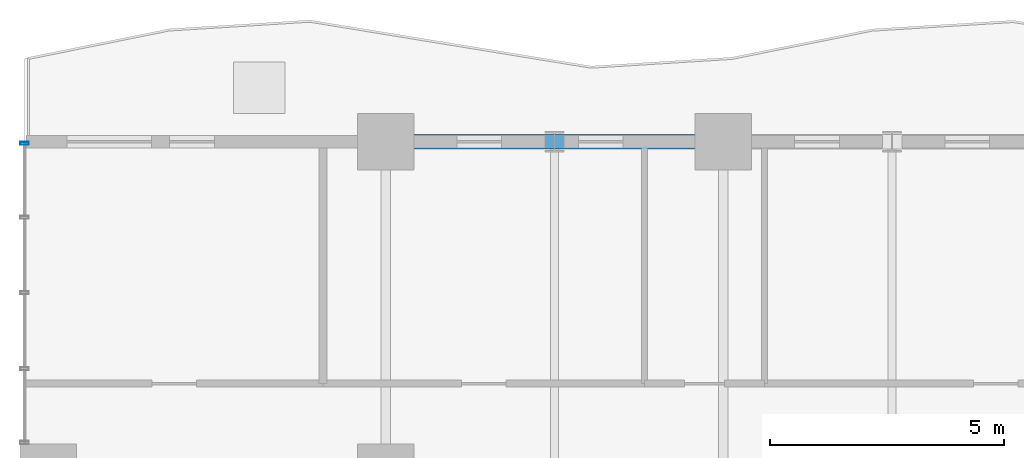
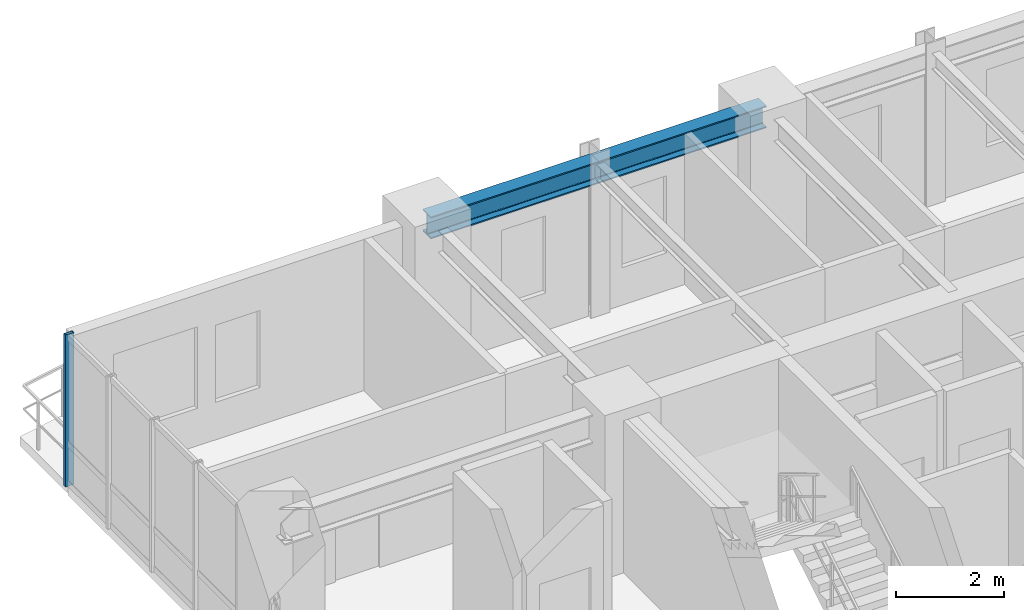
# One storey, part 8 of 18: 2 beams, 1 member, 1 element without a shape of its own.
"""IFC4 building model written with IfcOpenShell, lengths in metres."""

from ifc_helpers import new_model, si_unit, direction, frame, origin, origin_2d, place, context, subcontext, project, spatial, hollow_rectangle, i_section, extrude, source, transform, mapped, material, layer, layer_set, material_profile, profile_set, type_object, element, aggregate, save


model = new_model("IFC4")

# Units and contexts
model_context = context("Model", 3, precision=1e-05, world=origin(), true_north=direction((0.0, 1.0)))
body_context = subcontext(model_context, "Body", "Model", "MODEL_VIEW")
ifc_project = project(units=[si_unit("LENGTHUNIT", "METRE"), si_unit("AREAUNIT", "SQUARE_METRE"), si_unit("VOLUMEUNIT", "CUBIC_METRE"), si_unit("PLANEANGLEUNIT", "RADIAN"), si_unit("MASSUNIT", "GRAM", prefix="KILO")], contexts=[model_context])

# Site, building, storey
site_placement = place(None, origin())
site = spatial("IfcSite", under=ifc_project, at=site_placement, CompositionType="ELEMENT")
building_placement = place(site_placement, origin())
building = spatial("IfcBuilding", under=site, at=building_placement, Name="Kaliganga Portal Commons", CompositionType="ELEMENT")
storey_placement = place(building_placement, frame((0.0, 0.0, 93.39990234375)))
storey = spatial("IfcBuildingStorey", under=building, at=storey_placement, Name="L23", CompositionType="ELEMENT", Elevation=93.39990234375)

# Beams
ifc_material_1 = material(Name="Structural steel S355J2", Category="steel")
ifc_material_profile_1 = material_profile(ifc_material_1, i_section(OverallWidth=0.300048828125, OverallDepth=0.5, WebThickness=0.014404296875, FlangeThickness=0.028076171875, FilletRadius=0.027099609375, at=origin_2d()), Name="HE 500 B")
ifc_profile_set_1 = profile_set([ifc_material_profile_1], Name="Structural steel S355J2 wide-flange")
beam_type = type_object("IfcBeamType", Name="BM-SPAND-500", PredefinedType="SPANDREL", material=ifc_profile_set_1)
shared_shape_1 = source(origin(), body_context, "Body", "SweptSolid", [
    extrude(i_section(OverallWidth=0.300048828125, OverallDepth=0.5, WebThickness=0.014404296875, FlangeThickness=0.028076171875, FilletRadius=0.027099609375, at=origin_2d()), origin(), (0.0, 0.0, 1.0), 3.60009765625),
])
for number, where, z_axis, x_axis, name in (
    (1, (14.39990234375, 43.199951171875, 3.2001953125), (1.0, 0.0, 0.0), (0.0, 1.0, 0.0), "BM SP L23 AN 1"),
    (2, (18.0, 43.199951171875, 3.2001953125), (1.0, 0.0, 0.0), (0.0, 1.0, 0.0), "BM SP L23 AN 2"),
):
    element("IfcBeam", number, at=place(storey_placement, frame(where, z_axis=z_axis, x_axis=x_axis)), inside=storey, type_object=beam_type, Name=name, PredefinedType="SPANDREL", context=body_context, shape_type="MappedRepresentation", body=[
        mapped(shared_shape_1, transform((0.0, 0.0, 0.0), x_axis=(1.0, 0.0, 0.0), y_axis=(0.0, 1.0, 0.0), z_axis=(0.0, 0.0, 1.0), scale=1.0)),
    ])

# Curtain wall, member
ifc_material_2 = material(Name="Anodized Aluminium and Laminated Low-E Glass", Category="aluminium")
ifc_layer = layer(ifc_material_2, 0.199951171875)
ifc_layer_set = layer_set([ifc_layer], Name="Anodized Aluminium and Laminated Low-E Glass")
curtain_wall_type = type_object("IfcCurtainWallType", Name="CW-SYS-02", PredefinedType="NOTDEFINED", material=ifc_layer_set)
curtain_wall_placement = place(storey_placement, origin())
curtain_wall = element("IfcCurtainWall", 3, at=curtain_wall_placement, inside=storey, type_object=curtain_wall_type, Name="CW 02 L23 P1E03S1", PredefinedType="NOTDEFINED")
ifc_material_3 = material(Name="Dark Bronze Anodized Aluminium", Category="aluminium")
ifc_material_profile_2 = material_profile(ifc_material_3, hollow_rectangle(XDim=0.06494140625, YDim=0.179931640625, WallThickness=0.00390625, at=origin_2d()), Name="ALU MULL 65x180x4")
ifc_profile_set_2 = profile_set([ifc_material_profile_2], Name="Dark Bronze Anodized Aluminium")
member_type = type_object("IfcMemberType", Name="CW-MUL-180", PredefinedType="MULLION", material=ifc_profile_set_2)
shared_shape_2 = source(origin(), body_context, "Body", "SweptSolid", [
    extrude(hollow_rectangle(XDim=0.06494140625, YDim=0.179931640625, WallThickness=0.00390625, at=origin_2d()), origin(), (0.0, 0.0, 1.0), 3.4501953125),
])
member_placement = place(storey_placement, frame((6.699951171875, 43.1650390625, 0.0), z_axis=(0.0, 0.0, 1.0), x_axis=(0.0, -1.0, 0.0)))
member = element("IfcMember", 4, at=member_placement, type_object=member_type, Name="CW:02:L23:P1E03S1 Mullion 00", PredefinedType="MULLION", context=body_context, shape_type="MappedRepresentation", body=[
    mapped(shared_shape_2, transform((0.0, 0.0, 0.0), x_axis=(1.0, 0.0, 0.0), y_axis=(0.0, 1.0, 0.0), z_axis=(0.0, 0.0, 1.0), scale=1.0)),
])
aggregate(curtain_wall, [member])

save(model, "model.ifc")
